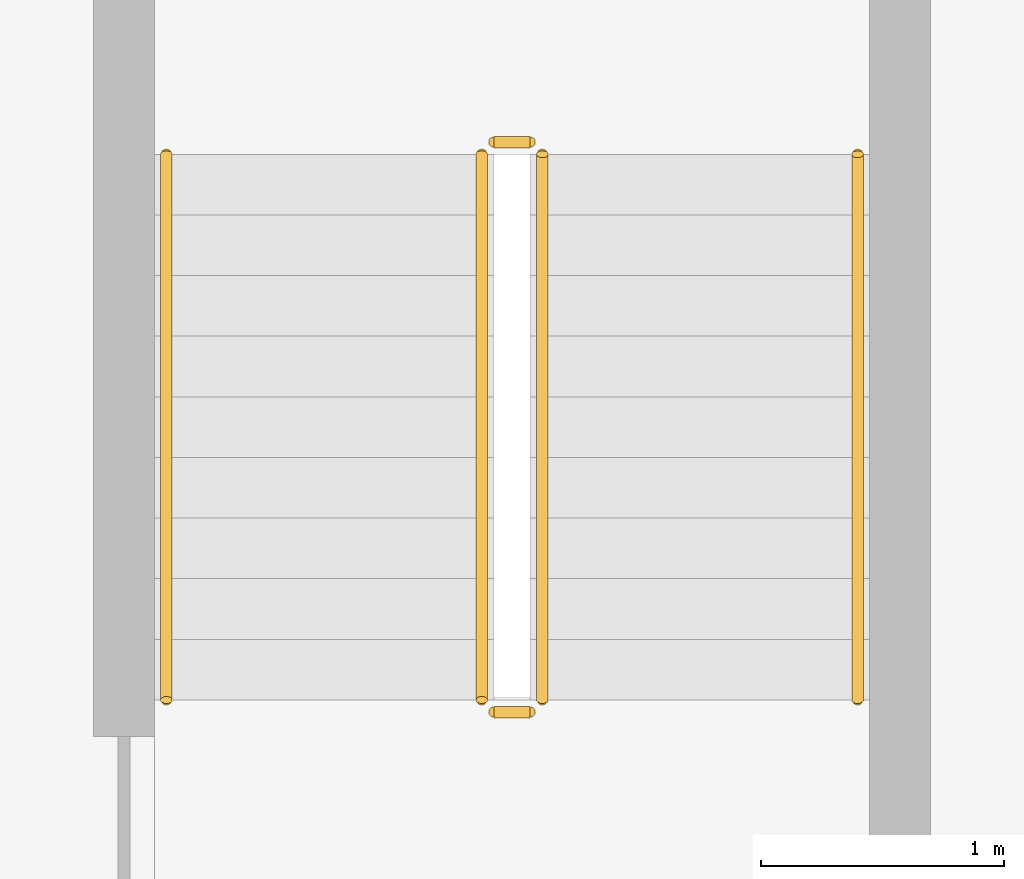
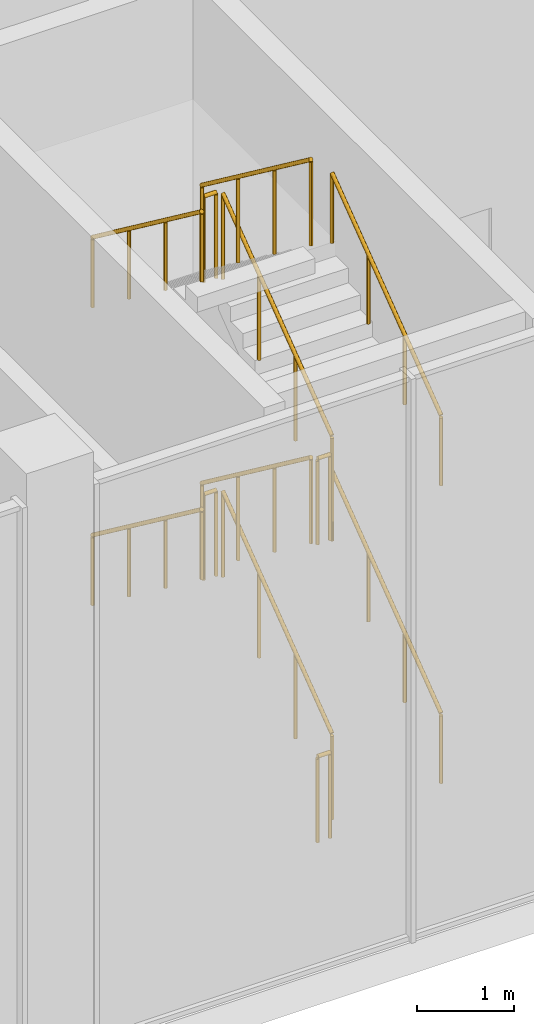
# One storey, part 11 of 13: 12 railings.
"""IFC4 building model written with IfcOpenShell, lengths in metres."""

from ifc_helpers import new_model, si_unit, direction, frame, origin, origin_2d, place, context, subcontext, project, spatial, circle, extrude, source, transform, mapped, material, type_object, element, save


model = new_model("IFC4")

# Units and contexts
model_context = context("Model", 3, precision=1e-05, world=origin(), true_north=direction((0.0, 1.0)))
body_context = subcontext(model_context, "Body", "Model", "MODEL_VIEW")
ifc_project = project(units=[si_unit("LENGTHUNIT", "METRE"), si_unit("AREAUNIT", "SQUARE_METRE"), si_unit("VOLUMEUNIT", "CUBIC_METRE"), si_unit("PLANEANGLEUNIT", "RADIAN"), si_unit("MASSUNIT", "GRAM", prefix="KILO")], contexts=[model_context])

# Site, building, storey
site_placement = place(None, origin())
site = spatial("IfcSite", under=ifc_project, at=site_placement, CompositionType="ELEMENT")
building_placement = place(site_placement, origin())
building = spatial("IfcBuilding", under=site, at=building_placement, Name="Aurelian Terraces", CompositionType="ELEMENT")
storey_placement = place(building_placement, frame((0.0, 0.0, 277.0)))
storey = spatial("IfcBuildingStorey", under=building, at=storey_placement, Name="L63", CompositionType="ELEMENT", Elevation=277.0)

# Railings
ifc_material = material(Name="Stainless steel", Category="steel")
railing_type_1 = type_object("IfcRailingType", Name="Stair guard 1100", PredefinedType="GUARDRAIL", material=ifc_material)
shared_shape_1 = source(origin(), body_context, "Body", "SweptSolid", [
    extrude(circle(Radius=0.024, at=origin_2d()), frame((0.0, 0.0, 1.076), z_axis=(-1.0, 0.0, 0.0), x_axis=(0.0, -1.0, 0.0)), (0.0, 0.0, 1.0), 0.15),
    extrude(circle(Radius=0.021, at=origin_2d()), origin(), (0.0, 0.0, 1.0), 1.052),
    extrude(circle(Radius=0.021, at=origin_2d()), frame((-0.15, 0.0, 0.0)), (0.0, 0.0, 1.0), 1.052),
])
for number, where, name in (
    (1, (42.2, 4.4, 1.875), "L63 S2 stair guard 2"),
    (2, (42.2, 2.05, 3.75), "L63 S2 stair guard 4"),
    (3, (42.2, 4.4, 5.625), "L63 S2 stair guard 6"),
    (4, (42.2, 2.05, 0.0), "L63 S2 stair guard 8"),
):
    element("IfcRailing", number, at=place(storey_placement, frame(where)), inside=storey, type_object=railing_type_1, Name=name, PredefinedType="GUARDRAIL", context=body_context, shape_type="MappedRepresentation", body=[
        mapped(shared_shape_1, transform((0.0, 0.0, 0.0), scale=1.0)),
    ])
shared_shape_2 = source(origin(), body_context, "Body", "SweptSolid", [
    extrude(circle(Radius=0.024, at=origin_2d()), frame((0.0, 0.0, 1.076), z_axis=(0.0, 0.8, 0.6), x_axis=(-1.0, 0.0, 0.0)), (0.0, 0.0, 1.0), 2.8125),
    extrude(circle(Radius=0.021, at=origin_2d()), origin(), (0.0, 0.0, 1.0), 1.052),
    extrude(circle(Radius=0.021, at=origin_2d()), frame((0.0, 0.75, 0.5625)), (0.0, 0.0, 1.0), 1.052),
    extrude(circle(Radius=0.021, at=origin_2d()), frame((0.0, 1.5, 1.125)), (0.0, 0.0, 1.0), 1.052),
    extrude(circle(Radius=0.021, at=origin_2d()), frame((0.0, 2.25, 1.6875)), (0.0, 0.0, 1.0), 1.052),
])
for number, where, name in (
    (5, (42.25, 2.1, 0.1875), "L63 S2 stair guard 1"),
    (6, (42.25, 2.1, 3.9375), "L63 S2 stair guard 5"),
):
    element("IfcRailing", number, at=place(storey_placement, frame(where)), inside=storey, type_object=railing_type_1, Name=name, PredefinedType="GUARDRAIL", context=body_context, shape_type="MappedRepresentation", body=[
        mapped(shared_shape_2, transform((0.0, 0.0, 0.0), scale=1.0)),
    ])
shared_shape_3 = source(origin(), body_context, "Body", "SweptSolid", [
    extrude(circle(Radius=0.024, at=origin_2d()), frame((0.0, 0.0, 1.076), z_axis=(0.0, -0.8, 0.6), x_axis=(1.0, 0.0, 0.0)), (0.0, 0.0, 1.0), 2.8125),
    extrude(circle(Radius=0.021, at=origin_2d()), origin(), (0.0, 0.0, 1.0), 1.052),
    extrude(circle(Radius=0.021, at=origin_2d()), frame((0.0, -0.75, 0.5625)), (0.0, 0.0, 1.0), 1.052),
    extrude(circle(Radius=0.021, at=origin_2d()), frame((0.0, -1.5, 1.125)), (0.0, 0.0, 1.0), 1.052),
    extrude(circle(Radius=0.021, at=origin_2d()), frame((0.0, -2.25, 1.6875)), (0.0, 0.0, 1.0), 1.052),
])
for number, where, name in (
    (7, (42.0, 4.35, 2.0625), "L63 S2 stair guard 3"),
    (8, (42.0, 4.35, 5.8125), "L63 S2 stair guard 7"),
):
    element("IfcRailing", number, at=place(storey_placement, frame(where)), inside=storey, type_object=railing_type_1, Name=name, PredefinedType="GUARDRAIL", context=body_context, shape_type="MappedRepresentation", body=[
        mapped(shared_shape_3, transform((0.0, 0.0, 0.0), scale=1.0)),
    ])
railing_type_2 = type_object("IfcRailingType", Name="Stair handrail", PredefinedType="HANDRAIL", material=ifc_material)
shared_shape_4 = source(origin(), body_context, "Body", "SweptSolid", [
    extrude(circle(Radius=0.024, at=origin_2d()), frame((0.0, 0.0, 0.876), z_axis=(0.0, 0.8, 0.6), x_axis=(-1.0, 0.0, 0.0)), (0.0, 0.0, 1.0), 2.8125),
    extrude(circle(Radius=0.021, at=origin_2d()), origin(), (0.0, 0.0, 1.0), 0.852),
    extrude(circle(Radius=0.021, at=origin_2d()), frame((0.0, 0.75, 0.5625)), (0.0, 0.0, 1.0), 0.852),
    extrude(circle(Radius=0.021, at=origin_2d()), frame((0.0, 1.5, 1.125)), (0.0, 0.0, 1.0), 0.852),
    extrude(circle(Radius=0.021, at=origin_2d()), frame((0.0, 2.25, 1.6875)), (0.0, 0.0, 1.0), 0.852),
])
for number, where, name in (
    (9, (43.55, 2.1, 0.1875), "L63 S2 stair handrail 1"),
    (10, (43.55, 2.1, 3.9375), "L63 S2 stair handrail 3"),
):
    element("IfcRailing", number, at=place(storey_placement, frame(where)), inside=storey, type_object=railing_type_2, Name=name, PredefinedType="HANDRAIL", context=body_context, shape_type="MappedRepresentation", body=[
        mapped(shared_shape_4, transform((0.0, 0.0, 0.0), scale=1.0)),
    ])
shared_shape_5 = source(origin(), body_context, "Body", "SweptSolid", [
    extrude(circle(Radius=0.024, at=origin_2d()), frame((0.0, 0.0, 0.876), z_axis=(0.0, -0.8, 0.6), x_axis=(1.0, 0.0, 0.0)), (0.0, 0.0, 1.0), 2.8125),
    extrude(circle(Radius=0.021, at=origin_2d()), origin(), (0.0, 0.0, 1.0), 0.852),
    extrude(circle(Radius=0.021, at=origin_2d()), frame((0.0, -0.75, 0.5625)), (0.0, 0.0, 1.0), 0.852),
    extrude(circle(Radius=0.021, at=origin_2d()), frame((0.0, -1.5, 1.125)), (0.0, 0.0, 1.0), 0.852),
    extrude(circle(Radius=0.021, at=origin_2d()), frame((0.0, -2.25, 1.6875)), (0.0, 0.0, 1.0), 0.852),
])
for number, where, name in (
    (11, (40.7, 4.35, 2.0625), "L63 S2 stair handrail 2"),
    (12, (40.7, 4.35, 5.8125), "L63 S2 stair handrail 4"),
):
    element("IfcRailing", number, at=place(storey_placement, frame(where)), inside=storey, type_object=railing_type_2, Name=name, PredefinedType="HANDRAIL", context=body_context, shape_type="MappedRepresentation", body=[
        mapped(shared_shape_5, transform((0.0, 0.0, 0.0), scale=1.0)),
    ])

save(model, "model.ifc")
